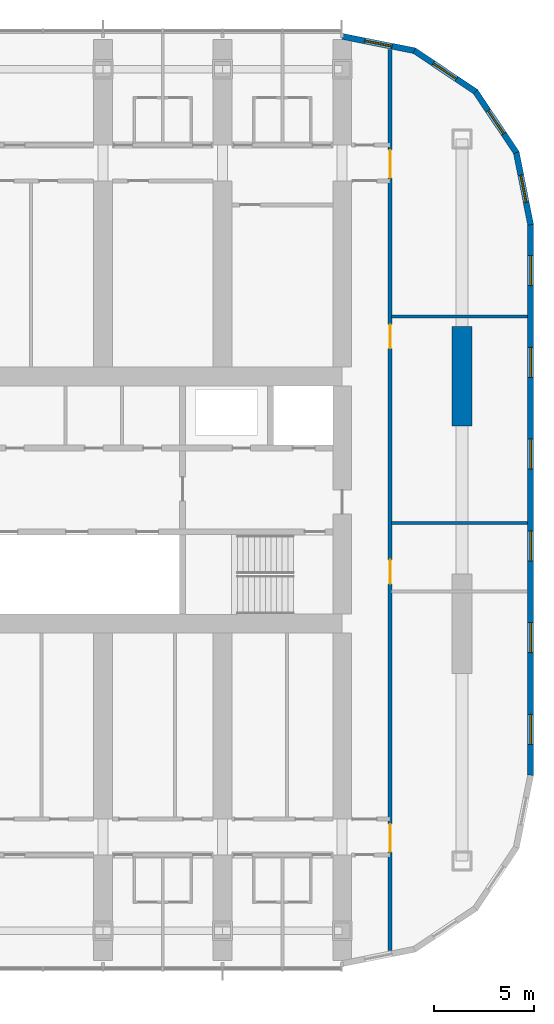
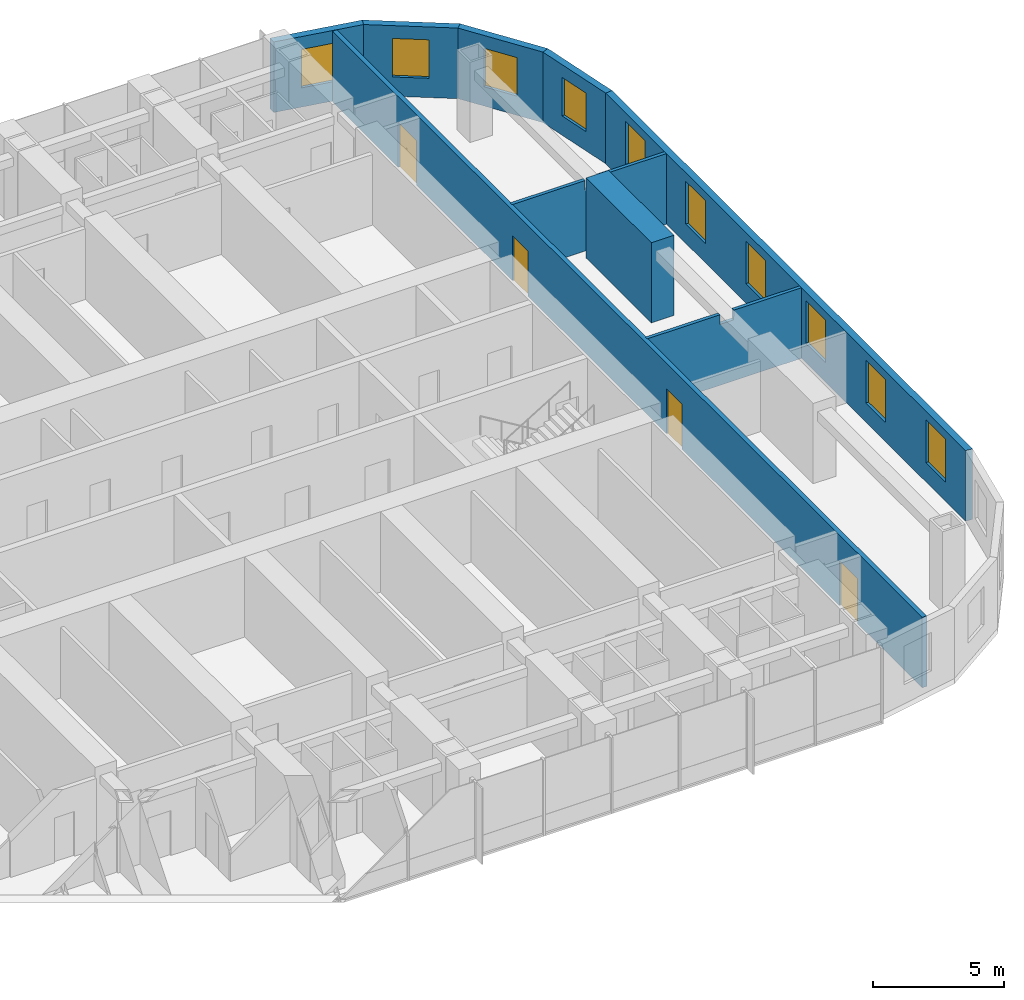
# One storey, part 16 of 21: 10 windows, 9 walls, 4 doors, 14 openings.
"""IFC4 building model written with IfcOpenShell, lengths in metres."""

from ifc_helpers import new_model, si_unit, direction, frame, frame_2d, origin, place, context, subcontext, project, spatial, polyline, rectangle, outline, extrude, material, layer, layer_set, type_object, element, fill, save


model = new_model("IFC4")

# Units and contexts
model_context = context("Model", 3, precision=1e-05, world=origin(), true_north=direction((0.0, 1.0)))
body_context = subcontext(model_context, "Body", "Model", "MODEL_VIEW")
ifc_project = project(units=[si_unit("LENGTHUNIT", "METRE"), si_unit("AREAUNIT", "SQUARE_METRE"), si_unit("VOLUMEUNIT", "CUBIC_METRE"), si_unit("PLANEANGLEUNIT", "RADIAN"), si_unit("MASSUNIT", "GRAM", prefix="KILO")], contexts=[model_context])

# Site, building, storey
site_placement = place(None, origin())
site = spatial("IfcSite", under=ifc_project, at=site_placement, CompositionType="ELEMENT")
building_placement = place(site_placement, origin())
building = spatial("IfcBuilding", under=site, at=building_placement, Name="Orbita Commons", CompositionType="ELEMENT")
storey_placement = place(building_placement, frame((0.0, 0.0, 95.64990234375)))
storey = spatial("IfcBuildingStorey", under=building, at=storey_placement, Name="L23", CompositionType="ELEMENT", Elevation=95.64990234375)

# Wall, openings, doors
ifc_material_1 = material(Name="Concrete blockwork", Category="masonry")
ifc_layer_1 = layer(ifc_material_1, 0.199951171875)
ifc_layer_set_1 = layer_set([ifc_layer_1], Name="Concrete blockwork")
wall_type_1 = type_object("IfcWallType", Name="Corridor wall 200 blockwork", PredefinedType="SOLIDWALL", material=ifc_layer_set_1)
wall_1_placement = place(storey_placement, frame((68.39990234375, 9.4052734375, 0.0), z_axis=(0.0, 0.0, 1.0), x_axis=(0.0, 1.0, 0.0)))
wall_1 = element("IfcWall", 1, at=wall_1_placement, inside=storey, type_object=wall_type_1, Name="Corridor wall 200 blockwork L23", PredefinedType="SOLIDWALL", context=body_context, shape_type="SweptSolid", body=[
    extrude(rectangle(XDim=45.189453125, YDim=0.199951171875, at=frame_2d((22.5947265625, 0.0))), origin(), (0.0, 0.0, 1.0), 3.300048828125),
])
opening_1_placement = place(wall_1_placement, frame((18.394775390625, 0.0, 0.0)))
opening_1 = element("IfcOpeningElement", 2, at=opening_1_placement, cuts=wall_1, Name="Opening D15", PredefinedType="OPENING", context=body_context, shape_type="SweptSolid", body=[
    extrude(rectangle(XDim=1.199951171875, YDim=2.10009765625, at=frame_2d((0.60009765625, 1.050048828125))), frame((0.0, 0.10986328125, 0.0), z_axis=(0.0, -1.0, 0.0), x_axis=(1.0, 0.0, 0.0)), (0.0, 0.0, 1.0), 0.219970703125),
])
opening_2_placement = place(wall_1_placement, frame((30.19482421875, 0.0, 0.0)))
opening_2 = element("IfcOpeningElement", 3, at=opening_2_placement, cuts=wall_1, Name="Opening D15", PredefinedType="OPENING", context=body_context, shape_type="SweptSolid", body=[
    extrude(rectangle(XDim=1.199951171875, YDim=2.10009765625, at=frame_2d((0.60009765625, 1.050048828125))), frame((0.0, 0.10986328125, 0.0), z_axis=(0.0, -1.0, 0.0), x_axis=(1.0, 0.0, 0.0)), (0.0, 0.0, 1.0), 0.219970703125),
])
opening_3_placement = place(wall_1_placement, frame((4.94482421875, 0.0, 0.0)))
opening_3 = element("IfcOpeningElement", 4, at=opening_3_placement, cuts=wall_1, Name="Opening D08", PredefinedType="OPENING", context=body_context, shape_type="SweptSolid", body=[
    extrude(rectangle(XDim=1.39990234375, YDim=2.10009765625, at=frame_2d((0.699951171875, 1.050048828125))), frame((0.0, 0.10986328125, 0.0), z_axis=(0.0, -1.0, 0.0), x_axis=(1.0, 0.0, 0.0)), (0.0, 0.0, 1.0), 0.219970703125),
])
opening_4_placement = place(wall_1_placement, frame((38.74462890625, 0.0, 0.0)))
opening_4 = element("IfcOpeningElement", 5, at=opening_4_placement, cuts=wall_1, Name="Opening D08", PredefinedType="OPENING", context=body_context, shape_type="SweptSolid", body=[
    extrude(rectangle(XDim=1.39990234375, YDim=2.10009765625, at=frame_2d((0.699951171875, 1.050048828125))), frame((0.0, 0.10986328125, 0.0), z_axis=(0.0, -1.0, 0.0), x_axis=(1.0, 0.0, 0.0)), (0.0, 0.0, 1.0), 0.219970703125),
])
ifc_material_2 = material(Name="Steel-faced fire door leaf", Category="steel")
door_type_1 = type_object("IfcDoorType", Name="Corridor door 20 min 1200x2100", OperationType="SINGLE_SWING_LEFT", PredefinedType="DOOR", material=ifc_material_2)
door_1_placement = place(opening_1_placement, origin())
door_1 = element("IfcDoor", 6, at=door_1_placement, inside=storey, type_object=door_type_1, Name="Mountain-view lounge door", OperationType="SINGLE_SWING_LEFT", OverallHeight=2.10009765625, OverallWidth=1.199951171875, PredefinedType="DOOR", context=body_context, shape_type="SweptSolid", body=[
    extrude(rectangle(XDim=1.199951171875, YDim=2.10009765625, at=frame_2d((0.60009765625, 1.050048828125))), frame((0.0, 0.02490234375, 0.0), z_axis=(0.0, -1.0, 0.0), x_axis=(1.0, 0.0, 0.0)), (0.0, 0.0, 1.0), 0.050048828125),
])
fill(opening_1, door_1)
door_2_placement = place(opening_2_placement, origin())
door_2 = element("IfcDoor", 7, at=door_2_placement, inside=storey, type_object=door_type_1, Name="Reading room door", OperationType="SINGLE_SWING_LEFT", OverallHeight=2.10009765625, OverallWidth=1.199951171875, PredefinedType="DOOR", context=body_context, shape_type="SweptSolid", body=[
    extrude(rectangle(XDim=1.199951171875, YDim=2.10009765625, at=frame_2d((0.60009765625, 1.050048828125))), frame((0.0, 0.02490234375, 0.0), z_axis=(0.0, -1.0, 0.0), x_axis=(1.0, 0.0, 0.0)), (0.0, 0.0, 1.0), 0.050048828125),
])
fill(opening_2, door_2)
ifc_material_3 = material(Name="Steel-faced fire door leaf", Category="steel")
door_type_2 = type_object("IfcDoorType", Name="Double corridor door 20 min 1400x2100", OperationType="DOUBLE_DOOR_SINGLE_SWING", PredefinedType="DOOR", material=ifc_material_3)
door_3_placement = place(opening_3_placement, origin())
door_3 = element("IfcDoor", 8, at=door_3_placement, inside=storey, type_object=door_type_2, Name="Lounge doors", OperationType="DOUBLE_DOOR_SINGLE_SWING", OverallHeight=2.10009765625, OverallWidth=1.39990234375, PredefinedType="DOOR", context=body_context, shape_type="SweptSolid", body=[
    extrude(rectangle(XDim=1.39990234375, YDim=2.10009765625, at=frame_2d((0.699951171875, 1.050048828125))), frame((0.0, 0.02490234375, 0.0), z_axis=(0.0, -1.0, 0.0), x_axis=(1.0, 0.0, 0.0)), (0.0, 0.0, 1.0), 0.050048828125),
])
fill(opening_3, door_3)
door_4_placement = place(opening_4_placement, origin())
door_4 = element("IfcDoor", 9, at=door_4_placement, inside=storey, type_object=door_type_2, Name="Lounge doors", OperationType="DOUBLE_DOOR_SINGLE_SWING", OverallHeight=2.10009765625, OverallWidth=1.39990234375, PredefinedType="DOOR", context=body_context, shape_type="SweptSolid", body=[
    extrude(rectangle(XDim=1.39990234375, YDim=2.10009765625, at=frame_2d((0.699951171875, 1.050048828125))), frame((0.0, 0.02490234375, 0.0), z_axis=(0.0, -1.0, 0.0), x_axis=(1.0, 0.0, 0.0)), (0.0, 0.0, 1.0), 0.050048828125),
])
fill(opening_4, door_4)

# Walls
ifc_material_4 = material(Name="Concrete C50/60", Category="concrete")
ifc_layer_2 = layer(ifc_material_4, 1.0)
ifc_layer_set_2 = layer_set([ifc_layer_2], Name="Concrete C50/60")
wall_type_2 = type_object("IfcWallType", Name="End pier 1000x5000 C50/60", PredefinedType="SHEAR", material=ifc_layer_set_2)
wall_2_placement = place(storey_placement, frame((72.0, 35.699951171875, 0.0), z_axis=(0.0, 0.0, 1.0), x_axis=(0.0, 1.0, 0.0)))
element("IfcWall", 10, at=wall_2_placement, inside=storey, type_object=wall_type_2, Name="End pier 13/D L23", PredefinedType="SHEAR", context=body_context, shape_type="SweptSolid", body=[
    extrude(rectangle(XDim=5.0, YDim=1.0, at=frame_2d((2.5, 0.0))), origin(), (0.0, 0.0, 1.0), 3.75),
])
ifc_material_5 = material(Name="Gypsum plasterboard on steel studs", Category="steel")
ifc_layer_3 = layer(ifc_material_5, 0.14990234375)
ifc_layer_set_3 = layer_set([ifc_layer_3], Name="Gypsum plasterboard on steel studs")
wall_type_3 = type_object("IfcWallType", Name="Partition 150 plasterboard", PredefinedType="PARTITIONING", material=ifc_layer_set_3)
for number, where, z_axis, x_axis, name in (
    (11, (68.47509765625, 30.85009765625, 0.0), (0.0, 0.0, 1.0), (1.0, 0.0, 0.0), "Partition 150 plasterboard L23"),
    (12, (68.47509765625, 41.199951171875, 0.0), (0.0, 0.0, 1.0), (1.0, 0.0, 0.0), "Partition 150 plasterboard L23"),
):
    element("IfcWall", number, at=place(storey_placement, frame(where, z_axis=z_axis, x_axis=x_axis)), inside=storey, type_object=wall_type_3, Name=name, PredefinedType="PARTITIONING", context=body_context, shape_type="SweptSolid", body=[
        extrude(outline(polyline([(0.0, 0.0), (6.81982421875, 0.0), (6.820068359375, 3.300048828125), (3.826904296875, 3.300048828125), (3.824951171875, 2.85009765625), (3.22705078125, 2.85009765625), (3.22509765625, 3.300048828125), (0.0, 3.300048828125), (0.0, 0.0)])), frame((0.0, 0.074951171875, 0.0), z_axis=(0.0, -1.0, 0.0), x_axis=(1.0, 0.0, 0.0)), (0.0, 0.0, 1.0), 0.14990234375),
    ])

# Wall, openings, windows
ifc_material_6 = material(Name="Precast concrete C40/50, white board-marked finish", Category="concrete")
ifc_layer_4 = layer(ifc_material_6, 0.300048828125)
ifc_layer_set_4 = layer_set([ifc_layer_4], Name="Precast concrete C40/50, white board-marked finish")
wall_type_4 = type_object("IfcWallType", Name="Precast concrete end shield 300", PredefinedType="SOLIDWALL", material=ifc_layer_set_4)
wall_3_placement = place(storey_placement, frame((75.449951171875, 18.199951171875, 0.0), z_axis=(0.0, 0.0, 1.0), x_axis=(0.0, 1.0, 0.0)))
wall_3 = element("IfcWall", 13, at=wall_3_placement, inside=storey, type_object=wall_type_4, Name="End shield E L23", PredefinedType="SOLIDWALL", context=body_context, shape_type="SweptSolid", body=[
    extrude(outline(polyline([(-0.014892578125, -0.14990234375), (27.614990234375, -0.14990234375), (27.585205078125, 0.14990234375), (0.014892578125, 0.14990234375), (-0.014892578125, -0.14990234375)])), origin(), (0.0, 0.0, 1.0), 3.300048828125),
])
opening_5_placement = place(wall_3_placement, frame((1.550048828125, 0.0, 0.89990234375)))
opening_5 = element("IfcOpeningElement", 14, at=opening_5_placement, cuts=wall_3, Name="Opening W01", PredefinedType="OPENING", context=body_context, shape_type="SweptSolid", body=[
    extrude(rectangle(XDim=1.5, YDim=2.0, at=frame_2d((0.75, 1.0))), frame((0.0, 0.159912109375, 0.0), z_axis=(0.0, -1.0, 0.0), x_axis=(1.0, 0.0, 0.0)), (0.0, 0.0, 1.0), 0.320068359375),
])
opening_6_placement = place(wall_3_placement, frame((6.14990234375, 0.0, 0.89990234375)))
opening_6 = element("IfcOpeningElement", 15, at=opening_6_placement, cuts=wall_3, Name="Opening W01", PredefinedType="OPENING", context=body_context, shape_type="SweptSolid", body=[
    extrude(rectangle(XDim=1.5, YDim=2.0, at=frame_2d((0.75, 1.0))), frame((0.0, 0.159912109375, 0.0), z_axis=(0.0, -1.0, 0.0), x_axis=(1.0, 0.0, 0.0)), (0.0, 0.0, 1.0), 0.320068359375),
])
opening_7_placement = place(wall_3_placement, frame((10.75, 0.0, 0.89990234375)))
opening_7 = element("IfcOpeningElement", 16, at=opening_7_placement, cuts=wall_3, Name="Opening W01", PredefinedType="OPENING", context=body_context, shape_type="SweptSolid", body=[
    extrude(rectangle(XDim=1.5, YDim=2.0, at=frame_2d((0.75, 1.0))), frame((0.0, 0.159912109375, 0.0), z_axis=(0.0, -1.0, 0.0), x_axis=(1.0, 0.0, 0.0)), (0.0, 0.0, 1.0), 0.320068359375),
])
opening_8_placement = place(wall_3_placement, frame((15.35009765625, 0.0, 0.89990234375)))
opening_8 = element("IfcOpeningElement", 17, at=opening_8_placement, cuts=wall_3, Name="Opening W01", PredefinedType="OPENING", context=body_context, shape_type="SweptSolid", body=[
    extrude(rectangle(XDim=1.5, YDim=2.0, at=frame_2d((0.75, 1.0))), frame((0.0, 0.159912109375, 0.0), z_axis=(0.0, -1.0, 0.0), x_axis=(1.0, 0.0, 0.0)), (0.0, 0.0, 1.0), 0.320068359375),
])
opening_9_placement = place(wall_3_placement, frame((19.949951171875, 0.0, 0.89990234375)))
opening_9 = element("IfcOpeningElement", 18, at=opening_9_placement, cuts=wall_3, Name="Opening W01", PredefinedType="OPENING", context=body_context, shape_type="SweptSolid", body=[
    extrude(rectangle(XDim=1.5, YDim=2.0, at=frame_2d((0.75, 1.0))), frame((0.0, 0.159912109375, 0.0), z_axis=(0.0, -1.0, 0.0), x_axis=(1.0, 0.0, 0.0)), (0.0, 0.0, 1.0), 0.320068359375),
])
opening_10_placement = place(wall_3_placement, frame((24.550048828125, 0.0, 0.89990234375)))
opening_10 = element("IfcOpeningElement", 19, at=opening_10_placement, cuts=wall_3, Name="Opening W01", PredefinedType="OPENING", context=body_context, shape_type="SweptSolid", body=[
    extrude(rectangle(XDim=1.5, YDim=2.0, at=frame_2d((0.75, 1.0))), frame((0.0, 0.159912109375, 0.0), z_axis=(0.0, -1.0, 0.0), x_axis=(1.0, 0.0, 0.0)), (0.0, 0.0, 1.0), 0.320068359375),
])
ifc_material_7 = material(Name="Aluminium frame, clear double glazing", Category="aluminium")
window_type_1 = type_object("IfcWindowType", Name="Deep-set window 1500x2000", PartitioningType="SINGLE_PANEL", PredefinedType="WINDOW", material=ifc_material_7)
window_1_placement = place(opening_5_placement, origin())
window_1 = element("IfcWindow", 20, at=window_1_placement, inside=storey, type_object=window_type_1, Name="Window L23-E 1", OverallHeight=2.0, OverallWidth=1.5, PartitioningType="SINGLE_PANEL", PredefinedType="WINDOW", context=body_context, shape_type="SweptSolid", body=[
    extrude(rectangle(XDim=1.5, YDim=2.0, at=frame_2d((0.75, 1.0))), frame((0.0, 0.030029296875, 0.0), z_axis=(0.0, -1.0, 0.0), x_axis=(1.0, 0.0, 0.0)), (0.0, 0.0, 1.0), 0.06005859375),
])
fill(opening_5, window_1)
window_2_placement = place(opening_6_placement, origin())
window_2 = element("IfcWindow", 21, at=window_2_placement, inside=storey, type_object=window_type_1, Name="Window L23-E 2", OverallHeight=2.0, OverallWidth=1.5, PartitioningType="SINGLE_PANEL", PredefinedType="WINDOW", context=body_context, shape_type="SweptSolid", body=[
    extrude(rectangle(XDim=1.5, YDim=2.0, at=frame_2d((0.75, 1.0))), frame((0.0, 0.030029296875, 0.0), z_axis=(0.0, -1.0, 0.0), x_axis=(1.0, 0.0, 0.0)), (0.0, 0.0, 1.0), 0.06005859375),
])
fill(opening_6, window_2)
window_3_placement = place(opening_7_placement, origin())
window_3 = element("IfcWindow", 22, at=window_3_placement, inside=storey, type_object=window_type_1, Name="Window L23-E 3", OverallHeight=2.0, OverallWidth=1.5, PartitioningType="SINGLE_PANEL", PredefinedType="WINDOW", context=body_context, shape_type="SweptSolid", body=[
    extrude(rectangle(XDim=1.5, YDim=2.0, at=frame_2d((0.75, 1.0))), frame((0.0, 0.030029296875, 0.0), z_axis=(0.0, -1.0, 0.0), x_axis=(1.0, 0.0, 0.0)), (0.0, 0.0, 1.0), 0.06005859375),
])
fill(opening_7, window_3)
window_4_placement = place(opening_8_placement, origin())
window_4 = element("IfcWindow", 23, at=window_4_placement, inside=storey, type_object=window_type_1, Name="Window L23-E 4", OverallHeight=2.0, OverallWidth=1.5, PartitioningType="SINGLE_PANEL", PredefinedType="WINDOW", context=body_context, shape_type="SweptSolid", body=[
    extrude(rectangle(XDim=1.5, YDim=2.0, at=frame_2d((0.75, 1.0))), frame((0.0, 0.030029296875, 0.0), z_axis=(0.0, -1.0, 0.0), x_axis=(1.0, 0.0, 0.0)), (0.0, 0.0, 1.0), 0.06005859375),
])
fill(opening_8, window_4)
window_5_placement = place(opening_9_placement, origin())
window_5 = element("IfcWindow", 24, at=window_5_placement, inside=storey, type_object=window_type_1, Name="Window L23-E 5", OverallHeight=2.0, OverallWidth=1.5, PartitioningType="SINGLE_PANEL", PredefinedType="WINDOW", context=body_context, shape_type="SweptSolid", body=[
    extrude(rectangle(XDim=1.5, YDim=2.0, at=frame_2d((0.75, 1.0))), frame((0.0, 0.030029296875, 0.0), z_axis=(0.0, -1.0, 0.0), x_axis=(1.0, 0.0, 0.0)), (0.0, 0.0, 1.0), 0.06005859375),
])
fill(opening_9, window_5)
window_6_placement = place(opening_10_placement, origin())
window_6 = element("IfcWindow", 25, at=window_6_placement, inside=storey, type_object=window_type_1, Name="Window L23-E 6", OverallHeight=2.0, OverallWidth=1.5, PartitioningType="SINGLE_PANEL", PredefinedType="WINDOW", context=body_context, shape_type="SweptSolid", body=[
    extrude(rectangle(XDim=1.5, YDim=2.0, at=frame_2d((0.75, 1.0))), frame((0.0, 0.030029296875, 0.0), z_axis=(0.0, -1.0, 0.0), x_axis=(1.0, 0.0, 0.0)), (0.0, 0.0, 1.0), 0.06005859375),
])
fill(opening_10, window_6)

# Wall, opening, window
wall_4_placement = place(storey_placement, frame((75.449951171875, 45.800048828125, 0.0), z_axis=(0.0, 0.0, 1.0), x_axis=(-0.195059183267, 0.980791473772, 0.0)))
wall_4 = element("IfcWall", 26, at=wall_4_placement, inside=storey, type_object=wall_type_4, Name="End shield NE chord 1 L23", PredefinedType="SOLIDWALL", context=body_context, shape_type="SweptSolid", body=[
    extrude(outline(polyline([(-0.014892578125, -0.14990234375), (3.717041015625, -0.14990234375), (3.657470703125, 0.14990234375), (0.014892578125, 0.14990234375), (-0.014892578125, -0.14990234375)])), origin(), (0.0, 0.0, 1.0), 3.300048828125),
])
opening_11_placement = place(wall_4_placement, frame((1.1435546875, 0.0, 0.89990234375)))
opening_11 = element("IfcOpeningElement", 27, at=opening_11_placement, cuts=wall_4, Name="Opening W02", PredefinedType="OPENING", context=body_context, shape_type="SweptSolid", body=[
    extrude(rectangle(XDim=1.39990234375, YDim=1.800048828125, at=frame_2d((0.699951171875, 0.89990234375))), frame((0.0, 0.159912109375, 0.0), z_axis=(0.0, -1.0, 0.0), x_axis=(1.0, 0.0, 0.0)), (0.0, 0.0, 1.0), 0.320068359375),
])
ifc_material_8 = material(Name="Aluminium frame, clear double glazing", Category="aluminium")
window_type_2 = type_object("IfcWindowType", Name="Deep-set window 1400x1800", PartitioningType="SINGLE_PANEL", PredefinedType="WINDOW", material=ifc_material_8)
window_7_placement = place(opening_11_placement, origin())
window_7 = element("IfcWindow", 28, at=window_7_placement, inside=storey, type_object=window_type_2, Name="Window L23-NE0", OverallHeight=1.800048828125, OverallWidth=1.39990234375, PartitioningType="SINGLE_PANEL", PredefinedType="WINDOW", context=body_context, shape_type="SweptSolid", body=[
    extrude(rectangle(XDim=1.39990234375, YDim=1.800048828125, at=frame_2d((0.699951171875, 0.89990234375))), frame((0.0, 0.030029296875, 0.0), z_axis=(0.0, -1.0, 0.0), x_axis=(1.0, 0.0, 0.0)), (0.0, 0.0, 1.0), 0.06005859375),
])
fill(opening_11, window_7)

wall_5_placement = place(storey_placement, frame((74.730712890625, 49.41650390625, 0.0), z_axis=(0.0, 0.0, 1.0), x_axis=(-0.555601399253, 0.831448786846, 0.0)))
wall_5 = element("IfcWall", 29, at=wall_5_placement, inside=storey, type_object=wall_type_4, Name="End shield NE chord 2 L23", PredefinedType="SOLIDWALL", context=body_context, shape_type="SweptSolid", body=[
    extrude(outline(polyline([(-0.02978515625, -0.14990234375), (3.717041015625, -0.14990234375), (3.657470703125, 0.14990234375), (0.02978515625, 0.14990234375), (-0.02978515625, -0.14990234375)])), origin(), (0.0, 0.0, 1.0), 3.300048828125),
])
opening_12_placement = place(wall_5_placement, frame((1.1435546875, 0.0, 0.89990234375)))
opening_12 = element("IfcOpeningElement", 30, at=opening_12_placement, cuts=wall_5, Name="Opening W02", PredefinedType="OPENING", context=body_context, shape_type="SweptSolid", body=[
    extrude(rectangle(XDim=1.39990234375, YDim=1.800048828125, at=frame_2d((0.699951171875, 0.89990234375))), frame((0.0, 0.159912109375, 0.0), z_axis=(0.0, -1.0, 0.0), x_axis=(1.0, 0.0, 0.0)), (0.0, 0.0, 1.0), 0.320068359375),
])
window_8_placement = place(opening_12_placement, origin())
window_8 = element("IfcWindow", 31, at=window_8_placement, inside=storey, type_object=window_type_2, Name="Window L23-NE1", OverallHeight=1.800048828125, OverallWidth=1.39990234375, PartitioningType="SINGLE_PANEL", PredefinedType="WINDOW", context=body_context, shape_type="SweptSolid", body=[
    extrude(rectangle(XDim=1.39990234375, YDim=1.800048828125, at=frame_2d((0.699951171875, 0.89990234375))), frame((0.0, 0.030029296875, 0.0), z_axis=(0.0, -1.0, 0.0), x_axis=(1.0, 0.0, 0.0)), (0.0, 0.0, 1.0), 0.06005859375),
])
fill(opening_12, window_8)

wall_6_placement = place(storey_placement, frame((72.68212890625, 52.482177734375, 0.0), z_axis=(0.0, 0.0, 1.0), x_axis=(-0.831448786846, 0.555601399253, 0.0)))
wall_6 = element("IfcWall", 32, at=wall_6_placement, inside=storey, type_object=wall_type_4, Name="End shield NE chord 3 L23", PredefinedType="SOLIDWALL", context=body_context, shape_type="SweptSolid", body=[
    extrude(outline(polyline([(-0.02978515625, -0.14990234375), (3.717041015625, -0.14990234375), (3.657470703125, 0.14990234375), (0.02978515625, 0.14990234375), (-0.02978515625, -0.14990234375)])), origin(), (0.0, 0.0, 1.0), 3.300048828125),
])
opening_13_placement = place(wall_6_placement, frame((1.1435546875, 0.0, 0.89990234375)))
opening_13 = element("IfcOpeningElement", 33, at=opening_13_placement, cuts=wall_6, Name="Opening W02", PredefinedType="OPENING", context=body_context, shape_type="SweptSolid", body=[
    extrude(rectangle(XDim=1.39990234375, YDim=1.800048828125, at=frame_2d((0.699951171875, 0.89990234375))), frame((0.0, 0.159912109375, 0.0), z_axis=(0.0, -1.0, 0.0), x_axis=(1.0, 0.0, 0.0)), (0.0, 0.0, 1.0), 0.320068359375),
])
window_9_placement = place(opening_13_placement, origin())
window_9 = element("IfcWindow", 34, at=window_9_placement, inside=storey, type_object=window_type_2, Name="Window L23-NE2", OverallHeight=1.800048828125, OverallWidth=1.39990234375, PartitioningType="SINGLE_PANEL", PredefinedType="WINDOW", context=body_context, shape_type="SweptSolid", body=[
    extrude(rectangle(XDim=1.39990234375, YDim=1.800048828125, at=frame_2d((0.699951171875, 0.89990234375))), frame((0.0, 0.030029296875, 0.0), z_axis=(0.0, -1.0, 0.0), x_axis=(1.0, 0.0, 0.0)), (0.0, 0.0, 1.0), 0.06005859375),
])
fill(opening_13, window_9)

wall_7_placement = place(storey_placement, frame((69.616455078125, 54.53076171875, 0.0), z_axis=(0.0, 0.0, 1.0), x_axis=(-0.980791473772, 0.195059183267, 0.0)))
wall_7 = element("IfcWall", 35, at=wall_7_placement, inside=storey, type_object=wall_type_4, Name="End shield NE chord 4 L23", PredefinedType="SOLIDWALL", context=body_context, shape_type="SweptSolid", body=[
    extrude(outline(polyline([(-0.02978515625, -0.14990234375), (3.717041015625, -0.14990234375), (3.657470703125, 0.14990234375), (0.02978515625, 0.14990234375), (-0.02978515625, -0.14990234375)])), origin(), (0.0, 0.0, 1.0), 3.300048828125),
])
opening_14_placement = place(wall_7_placement, frame((1.1435546875, 0.0, 0.89990234375)))
opening_14 = element("IfcOpeningElement", 36, at=opening_14_placement, cuts=wall_7, Name="Opening W02", PredefinedType="OPENING", context=body_context, shape_type="SweptSolid", body=[
    extrude(rectangle(XDim=1.39990234375, YDim=1.800048828125, at=frame_2d((0.699951171875, 0.89990234375))), frame((0.0, 0.159912109375, 0.0), z_axis=(0.0, -1.0, 0.0), x_axis=(1.0, 0.0, 0.0)), (0.0, 0.0, 1.0), 0.320068359375),
])
window_10_placement = place(opening_14_placement, origin())
window_10 = element("IfcWindow", 37, at=window_10_placement, inside=storey, type_object=window_type_2, Name="Window L23-NE3", OverallHeight=1.800048828125, OverallWidth=1.39990234375, PartitioningType="SINGLE_PANEL", PredefinedType="WINDOW", context=body_context, shape_type="SweptSolid", body=[
    extrude(rectangle(XDim=1.39990234375, YDim=1.800048828125, at=frame_2d((0.699951171875, 0.89990234375))), frame((0.0, 0.030029296875, 0.0), z_axis=(0.0, -1.0, 0.0), x_axis=(1.0, 0.0, 0.0)), (0.0, 0.0, 1.0), 0.06005859375),
])
fill(opening_14, window_10)

save(model, "model.ifc")
